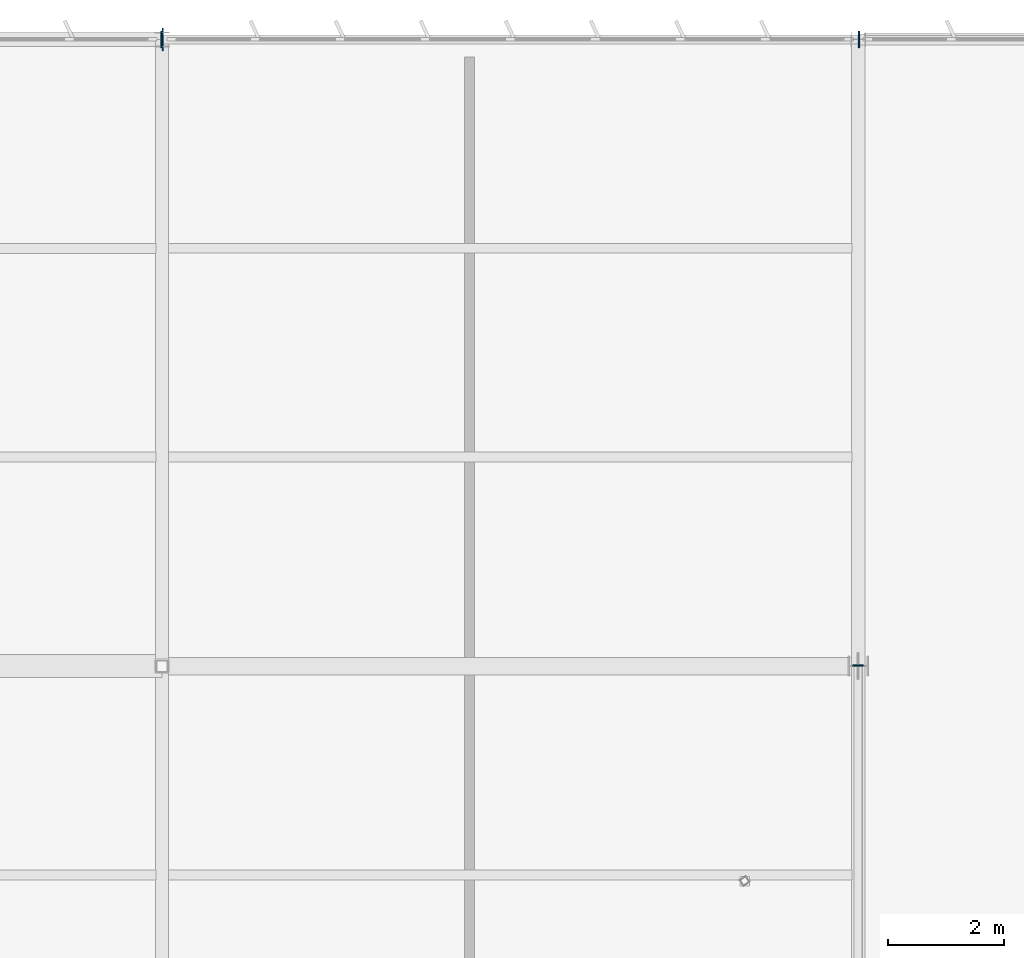
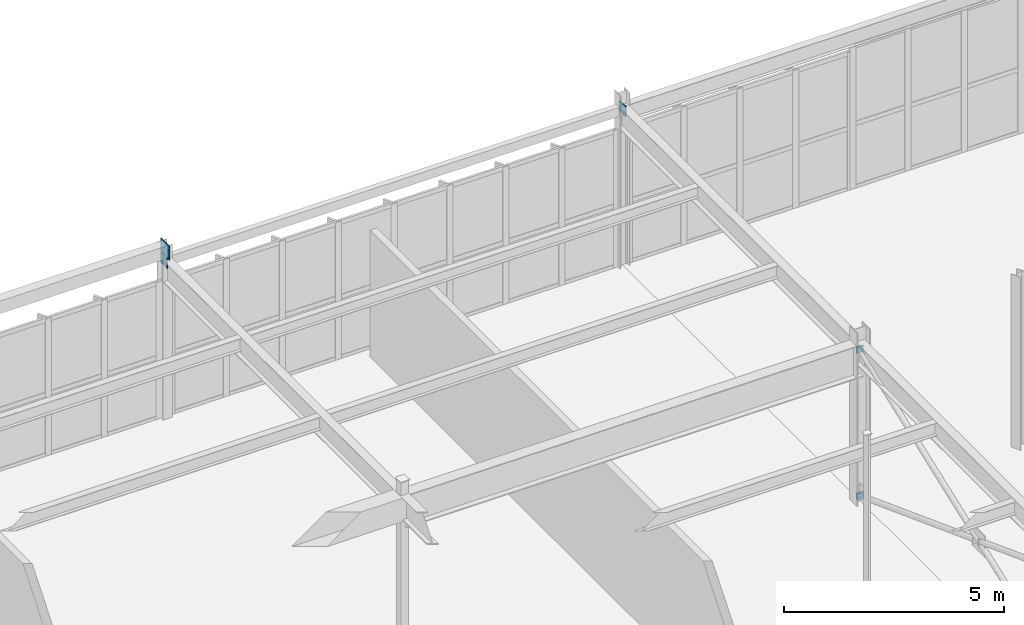
# One storey, part 173 of 226: 5 plates.
"""IFC4 building model written with IfcOpenShell, lengths in metres."""

from ifc_helpers import new_model, si_unit, direction, frame, origin, origin_2d, place, context, subcontext, project, spatial, rectangle, extrude, material, layer, layer_set, type_object, element, save


model = new_model("IFC4")

# Units and contexts
model_context = context("Model", 3, precision=1e-05, world=origin(), true_north=direction((0.0, 1.0)))
body_context = subcontext(model_context, "Body", "Model", "MODEL_VIEW")
ifc_project = project(units=[si_unit("LENGTHUNIT", "METRE"), si_unit("AREAUNIT", "SQUARE_METRE"), si_unit("VOLUMEUNIT", "CUBIC_METRE"), si_unit("PLANEANGLEUNIT", "RADIAN"), si_unit("MASSUNIT", "GRAM", prefix="KILO")], contexts=[model_context])

# Site, building, storey
site_placement = place(None, origin())
site = spatial("IfcSite", under=ifc_project, at=site_placement, CompositionType="ELEMENT")
building_placement = place(site_placement, origin())
building = spatial("IfcBuilding", under=site, at=building_placement, Name="Tarnwether General Hospital", CompositionType="ELEMENT")
storey_placement = place(building_placement, frame((0.0, 0.0, 4.800048828125)))
storey = spatial("IfcBuildingStorey", under=building, at=storey_placement, Name="L01", CompositionType="ELEMENT", Elevation=4.800048828125)

# Plates
ifc_material = material(Name="Steel Grade 350 (350 MPa)", Category="steel")
ifc_layer = layer(ifc_material, 0.02490234375)
ifc_layer_set = layer_set([ifc_layer], Name="Steel Grade 350 (350 MPa)")
plate_type = type_object("IfcPlateType", Name="PT-GUS2", PredefinedType="USERDEFINED", material=ifc_layer_set)
plate_placement = place(storey_placement, frame((48.012451171875, 126.0, 4.43017578125), z_axis=(0.0, 0.0, 1.0), x_axis=(1.0, 0.0, 0.0)))
element("IfcPlate", 1, at=plate_placement, inside=storey, type_object=plate_type, Name="Hollow Section Welded End Cap Plate 0916", ObjectType="GUSSET", PredefinedType="USERDEFINED", context=body_context, shape_type="SweptSolid", body=[
    extrude(rectangle(XDim=0.02490234375, YDim=0.389892578125, at=origin_2d()), origin(), (0.0, 0.0, 1.0), 0.389892578125),
])
for number, where, z_axis, x_axis, name in (
    (2, (47.987548828125, 126.0, 4.175048828125), (0.0, 0.0, 1.0), (1.0, 0.0, 0.0), "Hollow Section Welded End Cap Plate 0917"),
    (3, (60.012451171875, 126.0, 4.175048828125), (0.0, 0.0, 1.0), (1.0, 0.0, 0.0), "Hollow Section Welded End Cap Plate 0918"),
):
    element("IfcPlate", number, at=place(storey_placement, frame(where, z_axis=z_axis, x_axis=x_axis)), inside=storey, type_object=plate_type, Name=name, ObjectType="GUSSET", PredefinedType="USERDEFINED", context=body_context, shape_type="SweptSolid", body=[
        extrude(rectangle(XDim=0.02490234375, YDim=0.2900390625, at=origin_2d()), origin(), (0.0, 0.0, 1.0), 0.2900390625),
    ])
for number, where, z_axis, x_axis, name in (
    (4, (60.0, 115.211669921875, 4.1044921875), (0.0, 0.0, 1.0), (0.0, 1.0, 0.0), "Hollow Section Welded End Cap Plate 1238"),
    (5, (60.0, 115.211669921875, 0.04541015625), (0.0, 0.0, 1.0), (0.0, -1.0, 0.0), "Hollow Section Welded End Cap Plate 1239"),
):
    element("IfcPlate", number, at=place(storey_placement, frame(where, z_axis=z_axis, x_axis=x_axis)), inside=storey, type_object=plate_type, Name=name, ObjectType="GUSSET", PredefinedType="USERDEFINED", context=body_context, shape_type="SweptSolid", body=[
        extrude(rectangle(XDim=0.02490234375, YDim=0.179931640625, at=origin_2d()), origin(), (0.0, 0.0, 1.0), 0.179931640625),
    ])

save(model, "model.ifc")
